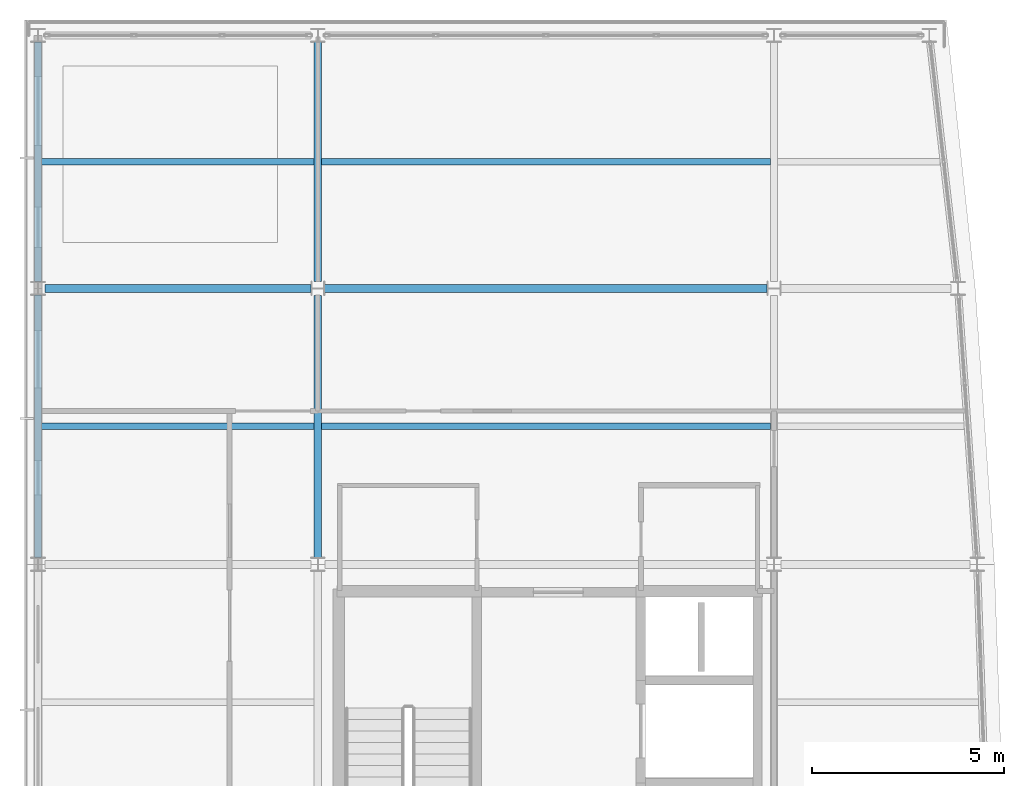
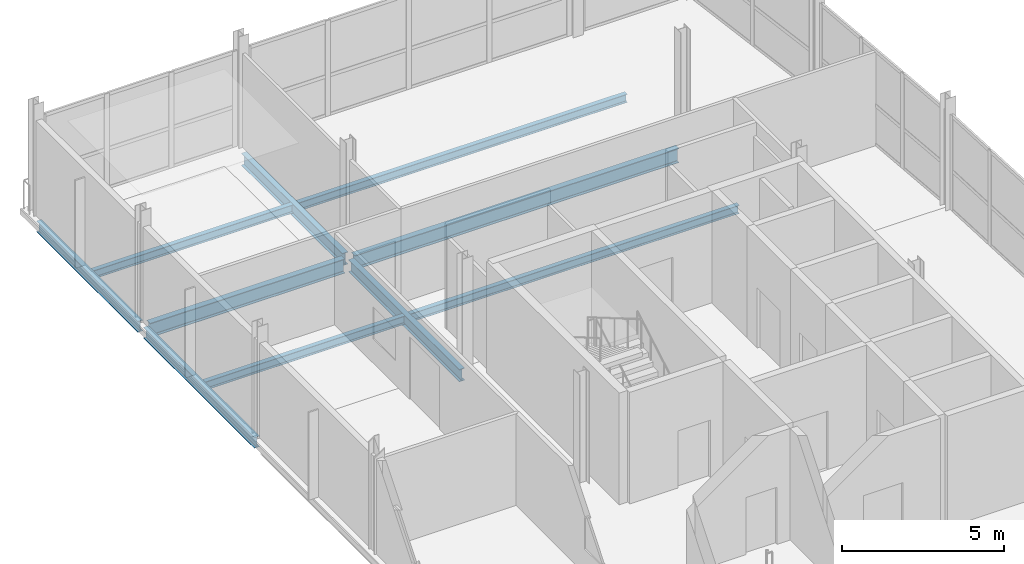
# One storey, part 6 of 17: 10 beams.
"""IFC4 building model written with IfcOpenShell, lengths in metres."""

from ifc_helpers import new_model, si_unit, direction, frame, origin, origin_2d, place, context, subcontext, project, spatial, i_section, extrude, material, material_profile, profile_set, type_object, element, save


model = new_model("IFC4")

# Units and contexts
model_context = context("Model", 3, precision=1e-05, world=origin(), true_north=direction((0.0, 1.0)))
body_context = subcontext(model_context, "Body", "Model", "MODEL_VIEW")
ifc_project = project(units=[si_unit("LENGTHUNIT", "METRE"), si_unit("AREAUNIT", "SQUARE_METRE"), si_unit("VOLUMEUNIT", "CUBIC_METRE"), si_unit("PLANEANGLEUNIT", "RADIAN"), si_unit("MASSUNIT", "GRAM", prefix="KILO")], contexts=[model_context])

# Site, building, storey
site_placement = place(None, origin())
site = spatial("IfcSite", under=ifc_project, at=site_placement, CompositionType="ELEMENT")
building_placement = place(site_placement, origin())
building = spatial("IfcBuilding", under=site, at=building_placement, Name="Quillay Park Conservatory", CompositionType="ELEMENT")
storey_placement = place(building_placement, frame((0.0, 0.0, 51.89990234375)))
storey = spatial("IfcBuildingStorey", under=building, at=storey_placement, Name="L12", CompositionType="ELEMENT", Elevation=51.89990234375)

# Beams
ifc_material_1 = material(Name="Steel ASTM A992 Grade 50", Category="steel")
ifc_material_profile_1 = material_profile(ifc_material_1, i_section(OverallWidth=0.166015625, OverallDepth=0.31298828125, WebThickness=0.006591796875, FlangeThickness=0.01123046875, FilletRadius=0.010009765625, at=origin_2d()), Name="W310x45")
ifc_profile_set_1 = profile_set([ifc_material_profile_1], Name="Steel ASTM A992 Grade 50")
beam_type_1 = type_object("IfcBeamType", Name="COMPOSITE FLOOR JOIST W310 X45", PredefinedType="JOIST", material=ifc_profile_set_1)
beam_1_placement = place(storey_placement, frame((0.639892578125, 103.199951171875, -0.3564453125), z_axis=(1.0, 0.0, 0.0), x_axis=(0.0, 1.0, 0.0)))
element("IfcBeam", 1, at=beam_1_placement, inside=storey, type_object=beam_type_1, Name="L12 beam BM-J-0874", PredefinedType="JOIST", context=body_context, shape_type="SweptSolid", body=[
    extrude(i_section(OverallWidth=0.166015625, OverallDepth=0.31298828125, WebThickness=0.006591796875, FlangeThickness=0.01123046875, FilletRadius=0.010009765625, at=origin_2d()), origin(), (0.0, 0.0, 1.0), 7.114013671875),
])
beam_2_placement = place(storey_placement, frame((7.946044921875, 103.199951171875, -0.3564453125), z_axis=(1.0, 0.0, 0.0), x_axis=(0.0, 1.0, 0.0)))
element("IfcBeam", 2, at=beam_2_placement, inside=storey, type_object=beam_type_1, Name="L12 beam BM-J-0876", PredefinedType="JOIST", context=body_context, shape_type="SweptSolid", body=[
    extrude(i_section(OverallWidth=0.166015625, OverallDepth=0.31298828125, WebThickness=0.006591796875, FlangeThickness=0.01123046875, FilletRadius=0.010009765625, at=origin_2d()), origin(), (0.0, 0.0, 1.0), 11.7080078125),
])
beam_3_placement = place(storey_placement, frame((0.639892578125, 110.10009765625, -0.3564453125), z_axis=(1.0, 0.0, 0.0), x_axis=(0.0, 1.0, 0.0)))
element("IfcBeam", 3, at=beam_3_placement, inside=storey, type_object=beam_type_1, Name="L12 beam BM-J-0881", PredefinedType="JOIST", context=body_context, shape_type="SweptSolid", body=[
    extrude(i_section(OverallWidth=0.166015625, OverallDepth=0.31298828125, WebThickness=0.006591796875, FlangeThickness=0.01123046875, FilletRadius=0.010009765625, at=origin_2d()), origin(), (0.0, 0.0, 1.0), 7.114013671875),
])
beam_4_placement = place(storey_placement, frame((7.946044921875, 110.10009765625, -0.3564453125), z_axis=(1.0, 0.0, 0.0), x_axis=(0.0, 1.0, 0.0)))
element("IfcBeam", 4, at=beam_4_placement, inside=storey, type_object=beam_type_1, Name="L12 beam BM-J-0883", PredefinedType="JOIST", context=body_context, shape_type="SweptSolid", body=[
    extrude(i_section(OverallWidth=0.166015625, OverallDepth=0.31298828125, WebThickness=0.006591796875, FlangeThickness=0.01123046875, FilletRadius=0.010009765625, at=origin_2d()), origin(), (0.0, 0.0, 1.0), 11.7080078125),
])
ifc_material_2 = material(Name="Steel ASTM A992 Grade 50", Category="steel")
ifc_material_profile_2 = material_profile(ifc_material_2, i_section(OverallWidth=0.179931640625, OverallDepth=0.4130859375, WebThickness=0.009765625, FlangeThickness=0.01611328125, FilletRadius=0.011962890625, at=origin_2d()), Name="W410x74")
ifc_profile_set_2 = profile_set([ifc_material_profile_2], Name="Steel ASTM A992 Grade 50")
beam_type_2 = type_object("IfcBeamType", Name="PERIMETER SPANDREL BEAM W410 X74", PredefinedType="SPANDREL", material=ifc_profile_set_2)
beam_5_placement = place(storey_placement, frame((0.550048828125, 99.778076171875, -0.406494140625), z_axis=(0.0, 1.0, 0.0), x_axis=(-1.0, 0.0, 0.0)))
element("IfcBeam", 5, at=beam_5_placement, inside=storey, type_object=beam_type_2, Name="L12 beam BM-SPW-0870", PredefinedType="SPANDREL", context=body_context, shape_type="SweptSolid", body=[
    extrude(i_section(OverallWidth=0.179931640625, OverallDepth=0.4130859375, WebThickness=0.009765625, FlangeThickness=0.01611328125, FilletRadius=0.011962890625, at=origin_2d()), origin(), (0.0, 0.0, 1.0), 6.843994140625),
])
beam_6_placement = place(storey_placement, frame((0.550048828125, 106.97802734375, -0.406494140625), z_axis=(0.0, 1.0, 0.0), x_axis=(-1.0, 0.0, 0.0)))
element("IfcBeam", 6, at=beam_6_placement, inside=storey, type_object=beam_type_2, Name="L12 beam BM-SPW-0877", PredefinedType="SPANDREL", context=body_context, shape_type="SweptSolid", body=[
    extrude(i_section(OverallWidth=0.179931640625, OverallDepth=0.4130859375, WebThickness=0.009765625, FlangeThickness=0.01611328125, FilletRadius=0.011962890625, at=origin_2d()), origin(), (0.0, 0.0, 1.0), 6.243896484375),
])
ifc_material_3 = material(Name="Steel ASTM A992 Grade 50", Category="steel")
ifc_material_profile_3 = material_profile(ifc_material_3, i_section(OverallWidth=0.19189453125, OverallDepth=0.462890625, WebThickness=0.010498046875, FlangeThickness=0.017578125, FilletRadius=0.012939453125, at=origin_2d()), Name="W460x89")
ifc_profile_set_3 = profile_set([ifc_material_profile_3], Name="Steel ASTM A992 Grade 50")
beam_type_3 = type_object("IfcBeamType", Name="PRIMARY FLOOR GIRDER W460 X89", PredefinedType="BEAM", material=ifc_profile_set_3)
beam_7_placement = place(storey_placement, frame((7.85009765625, 99.778076171875, -0.431396484375), z_axis=(0.0, 1.0, 0.0), x_axis=(-1.0, 0.0, 0.0)))
element("IfcBeam", 7, at=beam_7_placement, inside=storey, type_object=beam_type_3, Name="L12 beam BM-GNS-0872", PredefinedType="BEAM", context=body_context, shape_type="SweptSolid", body=[
    extrude(i_section(OverallWidth=0.19189453125, OverallDepth=0.462890625, WebThickness=0.010498046875, FlangeThickness=0.017578125, FilletRadius=0.012939453125, at=origin_2d()), origin(), (0.0, 0.0, 1.0), 6.83740234375),
])
beam_8_placement = place(storey_placement, frame((7.85009765625, 106.984619140625, -0.431396484375), z_axis=(0.0, 1.0, 0.0), x_axis=(-1.0, 0.0, 0.0)))
element("IfcBeam", 8, at=beam_8_placement, inside=storey, type_object=beam_type_3, Name="L12 beam BM-GNS-0879", PredefinedType="BEAM", context=body_context, shape_type="SweptSolid", body=[
    extrude(i_section(OverallWidth=0.19189453125, OverallDepth=0.462890625, WebThickness=0.010498046875, FlangeThickness=0.017578125, FilletRadius=0.012939453125, at=origin_2d()), origin(), (0.0, 0.0, 1.0), 6.2373046875),
])
ifc_material_4 = material(Name="Steel ASTM A992 Grade 50", Category="steel")
ifc_material_profile_4 = material_profile(ifc_material_4, i_section(OverallWidth=0.2109375, OverallDepth=0.5390625, WebThickness=0.01171875, FlangeThickness=0.018798828125, FilletRadius=0.013916015625, at=origin_2d()), Name="W530x109")
ifc_profile_set_4 = profile_set([ifc_material_profile_4], Name="Steel ASTM A992 Grade 50")
beam_type_4 = type_object("IfcBeamType", Name="PRIMARY FLOOR GIRDER W530 X109", PredefinedType="BEAM", material=ifc_profile_set_4)
beam_9_placement = place(storey_placement, frame((0.734619140625, 106.800048828125, -0.469482421875), z_axis=(1.0, 0.0, 0.0), x_axis=(0.0, 1.0, 0.0)))
element("IfcBeam", 9, at=beam_9_placement, inside=storey, type_object=beam_type_4, Name="L12 beam BM-G-0839", PredefinedType="BEAM", context=body_context, shape_type="SweptSolid", body=[
    extrude(i_section(OverallWidth=0.2109375, OverallDepth=0.5390625, WebThickness=0.01171875, FlangeThickness=0.018798828125, FilletRadius=0.013916015625, at=origin_2d()), origin(), (0.0, 0.0, 1.0), 6.9375),
])
beam_10_placement = place(storey_placement, frame((8.028076171875, 106.800048828125, -0.469482421875), z_axis=(1.0, 0.0, 0.0), x_axis=(0.0, 1.0, 0.0)))
element("IfcBeam", 10, at=beam_10_placement, inside=storey, type_object=beam_type_4, Name="L12 beam BM-G-0840", PredefinedType="BEAM", context=body_context, shape_type="SweptSolid", body=[
    extrude(i_section(OverallWidth=0.2109375, OverallDepth=0.5390625, WebThickness=0.01171875, FlangeThickness=0.018798828125, FilletRadius=0.013916015625, at=origin_2d()), origin(), (0.0, 0.0, 1.0), 11.5439453125),
])

save(model, "model.ifc")
